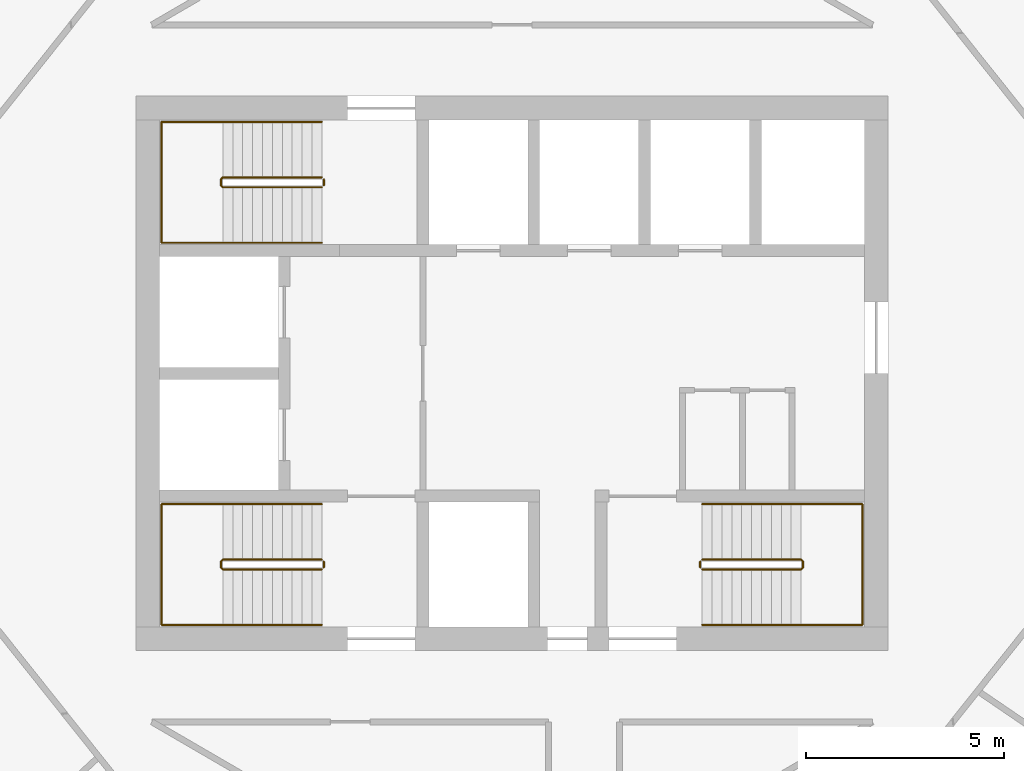
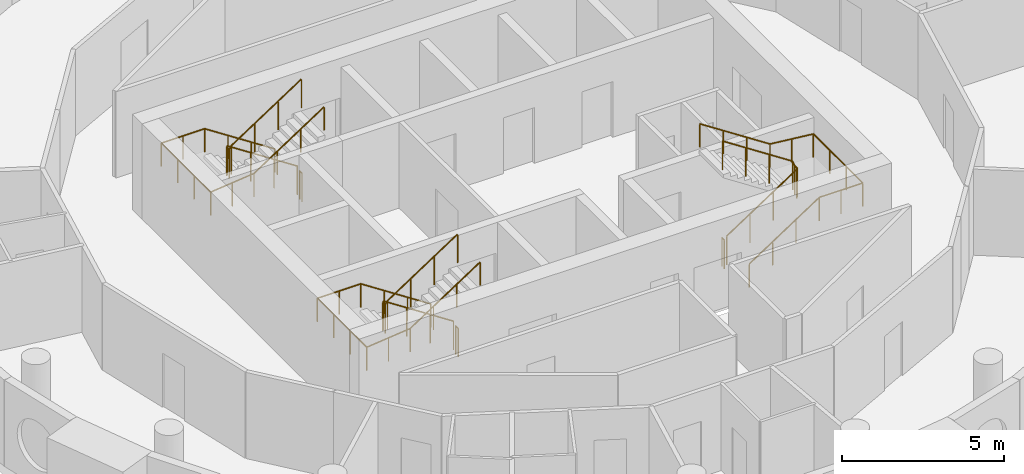
# One storey, part 13 of 13: 9 railings.
"""IFC4 building model written with IfcOpenShell, lengths in metres."""

from ifc_helpers import new_model, si_unit, direction, frame, origin, origin_2d, place, context, subcontext, project, spatial, circle, extrude, material, type_object, element, save


model = new_model("IFC4")

# Units and contexts
model_context = context("Model", 3, precision=1e-05, world=origin(), true_north=direction((0.0, 1.0)))
body_context = subcontext(model_context, "Body", "Model", "MODEL_VIEW")
ifc_project = project(units=[si_unit("LENGTHUNIT", "METRE"), si_unit("AREAUNIT", "SQUARE_METRE"), si_unit("VOLUMEUNIT", "CUBIC_METRE"), si_unit("PLANEANGLEUNIT", "RADIAN"), si_unit("MASSUNIT", "GRAM", prefix="KILO")], contexts=[model_context])

# Site, building, storey
site_placement = place(None, origin())
site = spatial("IfcSite", under=ifc_project, at=site_placement, CompositionType="ELEMENT")
building_placement = place(site_placement, origin())
building = spatial("IfcBuilding", under=site, at=building_placement, Name="Tracery Tower", CompositionType="ELEMENT")
storey_placement = place(building_placement, frame((0.0, 0.0, 294.60009765625)))
storey = spatial("IfcBuildingStorey", under=building, at=storey_placement, Name="L76", CompositionType="ELEMENT", Elevation=294.60009765625)

# Railings
ifc_material_1 = material(Name="Stainless steel and laminated glass", Category="steel")
railing_type_1 = type_object("IfcRailingType", Name="Stair guard 1100", PredefinedType="GUARDRAIL", material=ifc_material_1)
railing_1_placement = place(storey_placement, frame((-4.800048828125, -4.699951171875, 0.16357421875)))
element("IfcRailing", 1, at=railing_1_placement, inside=storey, type_object=railing_type_1, Name="L76 stair ST1 guard 1", PredefinedType="GUARDRAIL", context=body_context, shape_type="SweptSolid", body=[
    extrude(circle(Radius=0.02392578125, at=origin_2d()), frame((0.0, 0.0, 1.076171875), z_axis=(-0.836721939367, 0.0, 0.547627972425), x_axis=(0.0, -1.0, 0.0)), (0.0, 0.0, 1.0), 2.98779296875),
    extrude(circle(Radius=0.02392578125, at=origin_2d()), frame((-2.5, 0.0, 2.71240234375), z_axis=(-0.707106781187, -0.707106781187, 0.0), x_axis=(0.707106781187, -0.707106781187, 0.0)), (0.0, 0.0, 1.0), 0.07080078125),
    extrude(circle(Radius=0.02392578125, at=origin_2d()), frame((-2.550048828125, -0.050048828125, 2.71240234375), z_axis=(0.0, -1.0, 0.0), x_axis=(1.0, 0.0, 0.0)), (0.0, 0.0, 1.0), 0.14990234375),
    extrude(circle(Radius=0.02392578125, at=origin_2d()), frame((-2.550048828125, -0.199951171875, 2.71240234375), z_axis=(0.280456126637, -0.280456126637, 0.917980785237), x_axis=(0.707106781187, 0.707106781187, 0.0)), (0.0, 0.0, 1.0), 0.178466796875),
    extrude(circle(Radius=0.02392578125, at=origin_2d()), frame((-2.5, -0.25, 2.8759765625), z_axis=(0.836721939367, 0.0, 0.547627972425), x_axis=(0.0, 1.0, 0.0)), (0.0, 0.0, 1.0), 2.98779296875),
    extrude(circle(Radius=0.02099609375, at=origin_2d()), origin(), (0.0, 0.0, 1.0), 1.052001953125),
    extrude(circle(Radius=0.02099609375, at=origin_2d()), frame((-0.833251953125, 0.0, 0.54541015625)), (0.0, 0.0, 1.0), 1.052001953125),
    extrude(circle(Radius=0.02099609375, at=origin_2d()), frame((-1.666748046875, 0.0, 1.0908203125)), (0.0, 0.0, 1.0), 1.052001953125),
    extrude(circle(Radius=0.02099609375, at=origin_2d()), frame((-2.5, 0.0, 1.63623046875)), (0.0, 0.0, 1.0), 1.052001953125),
    extrude(circle(Radius=0.02099609375, at=origin_2d()), frame((-2.550048828125, -0.050048828125, 1.63623046875)), (0.0, 0.0, 1.0), 1.052001953125),
    extrude(circle(Radius=0.02099609375, at=origin_2d()), frame((-2.550048828125, -0.199951171875, 1.63623046875)), (0.0, 0.0, 1.0), 1.052001953125),
    extrude(circle(Radius=0.02099609375, at=origin_2d()), frame((-2.5, -0.25, 1.800048828125)), (0.0, 0.0, 1.0), 1.052001953125),
    extrude(circle(Radius=0.02099609375, at=origin_2d()), frame((-1.666748046875, -0.25, 2.345458984375)), (0.0, 0.0, 1.0), 1.052001953125),
    extrude(circle(Radius=0.02099609375, at=origin_2d()), frame((-0.833251953125, -0.25, 2.890869140625)), (0.0, 0.0, 1.0), 1.052001953125),
    extrude(circle(Radius=0.02099609375, at=origin_2d()), frame((0.0, -0.25, 3.436279296875)), (0.0, 0.0, 1.0), 1.052001953125),
])
railing_2_placement = place(storey_placement, frame((-4.75, -4.75, 0.0)))
element("IfcRailing", 2, at=railing_2_placement, inside=storey, type_object=railing_type_1, Name="L76 stair ST1 guard 2", PredefinedType="GUARDRAIL", context=body_context, shape_type="SweptSolid", body=[
    extrude(circle(Radius=0.02392578125, at=origin_2d()), frame((0.0, 0.0, 1.076171875), z_axis=(0.0, -1.0, 0.0), x_axis=(1.0, 0.0, 0.0)), (0.0, 0.0, 1.0), 0.14990234375),
    extrude(circle(Radius=0.02099609375, at=origin_2d()), origin(), (0.0, 0.0, 1.0), 1.052001953125),
    extrude(circle(Radius=0.02099609375, at=origin_2d()), frame((0.0, -0.14990234375, 0.0)), (0.0, 0.0, 1.0), 1.052001953125),
])
railing_3_placement = place(storey_placement, frame((-4.800048828125, 4.949951171875, 0.16357421875)))
element("IfcRailing", 3, at=railing_3_placement, inside=storey, type_object=railing_type_1, Name="L76 stair ST3 guard 1", PredefinedType="GUARDRAIL", context=body_context, shape_type="SweptSolid", body=[
    extrude(circle(Radius=0.02392578125, at=origin_2d()), frame((0.0, 0.0, 1.076171875), z_axis=(-0.836721939367, 0.0, 0.547627972425), x_axis=(0.0, -1.0, 0.0)), (0.0, 0.0, 1.0), 2.98779296875),
    extrude(circle(Radius=0.02392578125, at=origin_2d()), frame((-2.5, 0.0, 2.71240234375), z_axis=(-0.707106781187, -0.707106781187, 0.0), x_axis=(0.707106781187, -0.707106781187, 0.0)), (0.0, 0.0, 1.0), 0.07080078125),
    extrude(circle(Radius=0.02392578125, at=origin_2d()), frame((-2.550048828125, -0.050048828125, 2.71240234375), z_axis=(0.0, -1.0, 0.0), x_axis=(1.0, 0.0, 0.0)), (0.0, 0.0, 1.0), 0.14990234375),
    extrude(circle(Radius=0.02392578125, at=origin_2d()), frame((-2.550048828125, -0.199951171875, 2.71240234375), z_axis=(0.280456126637, -0.280456126637, 0.917980785237), x_axis=(0.707106781187, 0.707106781187, 0.0)), (0.0, 0.0, 1.0), 0.178466796875),
    extrude(circle(Radius=0.02392578125, at=origin_2d()), frame((-2.5, -0.25, 2.8759765625), z_axis=(0.836721939367, 0.0, 0.547627972425), x_axis=(0.0, 1.0, 0.0)), (0.0, 0.0, 1.0), 2.98779296875),
    extrude(circle(Radius=0.02099609375, at=origin_2d()), origin(), (0.0, 0.0, 1.0), 1.052001953125),
    extrude(circle(Radius=0.02099609375, at=origin_2d()), frame((-0.833251953125, 0.0, 0.54541015625)), (0.0, 0.0, 1.0), 1.052001953125),
    extrude(circle(Radius=0.02099609375, at=origin_2d()), frame((-1.666748046875, 0.0, 1.0908203125)), (0.0, 0.0, 1.0), 1.052001953125),
    extrude(circle(Radius=0.02099609375, at=origin_2d()), frame((-2.5, 0.0, 1.63623046875)), (0.0, 0.0, 1.0), 1.052001953125),
    extrude(circle(Radius=0.02099609375, at=origin_2d()), frame((-2.550048828125, -0.050048828125, 1.63623046875)), (0.0, 0.0, 1.0), 1.052001953125),
    extrude(circle(Radius=0.02099609375, at=origin_2d()), frame((-2.550048828125, -0.199951171875, 1.63623046875)), (0.0, 0.0, 1.0), 1.052001953125),
    extrude(circle(Radius=0.02099609375, at=origin_2d()), frame((-2.5, -0.25, 1.800048828125)), (0.0, 0.0, 1.0), 1.052001953125),
    extrude(circle(Radius=0.02099609375, at=origin_2d()), frame((-1.666748046875, -0.25, 2.345458984375)), (0.0, 0.0, 1.0), 1.052001953125),
    extrude(circle(Radius=0.02099609375, at=origin_2d()), frame((-0.833251953125, -0.25, 2.890869140625)), (0.0, 0.0, 1.0), 1.052001953125),
    extrude(circle(Radius=0.02099609375, at=origin_2d()), frame((0.0, -0.25, 3.436279296875)), (0.0, 0.0, 1.0), 1.052001953125),
])
railing_4_placement = place(storey_placement, frame((-4.75, 4.89990234375, 0.0)))
element("IfcRailing", 4, at=railing_4_placement, inside=storey, type_object=railing_type_1, Name="L76 stair ST3 guard 2", PredefinedType="GUARDRAIL", context=body_context, shape_type="SweptSolid", body=[
    extrude(circle(Radius=0.02392578125, at=origin_2d()), frame((0.0, 0.0, 1.076171875), z_axis=(0.0, -1.0, 0.0), x_axis=(1.0, 0.0, 0.0)), (0.0, 0.0, 1.0), 0.14990234375),
    extrude(circle(Radius=0.02099609375, at=origin_2d()), origin(), (0.0, 0.0, 1.0), 1.052001953125),
    extrude(circle(Radius=0.02099609375, at=origin_2d()), frame((0.0, -0.14990234375, 0.0)), (0.0, 0.0, 1.0), 1.052001953125),
])
railing_5_placement = place(storey_placement, frame((4.800048828125, -4.949951171875, 0.16357421875)))
element("IfcRailing", 5, at=railing_5_placement, inside=storey, type_object=railing_type_1, Name="L76 stair ST2 guard 1", PredefinedType="GUARDRAIL", context=body_context, shape_type="SweptSolid", body=[
    extrude(circle(Radius=0.02392578125, at=origin_2d()), frame((0.0, 0.0, 1.076171875), z_axis=(0.836721939367, 0.0, 0.547627972425), x_axis=(0.0, 1.0, 0.0)), (0.0, 0.0, 1.0), 2.98779296875),
    extrude(circle(Radius=0.02392578125, at=origin_2d()), frame((2.5, 0.0, 2.71240234375), z_axis=(0.707106781187, 0.707106781187, 0.0), x_axis=(-0.707106781187, 0.707106781187, 0.0)), (0.0, 0.0, 1.0), 0.07080078125),
    extrude(circle(Radius=0.02392578125, at=origin_2d()), frame((2.550048828125, 0.050048828125, 2.71240234375), z_axis=(0.0, 1.0, 0.0), x_axis=(-1.0, 0.0, 0.0)), (0.0, 0.0, 1.0), 0.14990234375),
    extrude(circle(Radius=0.02392578125, at=origin_2d()), frame((2.550048828125, 0.199951171875, 2.71240234375), z_axis=(-0.280456126637, 0.280456126637, 0.917980785237), x_axis=(-0.707106781187, -0.707106781187, 0.0)), (0.0, 0.0, 1.0), 0.178466796875),
    extrude(circle(Radius=0.02392578125, at=origin_2d()), frame((2.5, 0.25, 2.8759765625), z_axis=(-0.836721939367, 0.0, 0.547627972425), x_axis=(0.0, -1.0, 0.0)), (0.0, 0.0, 1.0), 2.98779296875),
    extrude(circle(Radius=0.02099609375, at=origin_2d()), origin(), (0.0, 0.0, 1.0), 1.052001953125),
    extrude(circle(Radius=0.02099609375, at=origin_2d()), frame((0.833251953125, 0.0, 0.54541015625)), (0.0, 0.0, 1.0), 1.052001953125),
    extrude(circle(Radius=0.02099609375, at=origin_2d()), frame((1.666748046875, 0.0, 1.0908203125)), (0.0, 0.0, 1.0), 1.052001953125),
    extrude(circle(Radius=0.02099609375, at=origin_2d()), frame((2.5, 0.0, 1.63623046875)), (0.0, 0.0, 1.0), 1.052001953125),
    extrude(circle(Radius=0.02099609375, at=origin_2d()), frame((2.550048828125, 0.050048828125, 1.63623046875)), (0.0, 0.0, 1.0), 1.052001953125),
    extrude(circle(Radius=0.02099609375, at=origin_2d()), frame((2.550048828125, 0.199951171875, 1.63623046875)), (0.0, 0.0, 1.0), 1.052001953125),
    extrude(circle(Radius=0.02099609375, at=origin_2d()), frame((2.5, 0.25, 1.800048828125)), (0.0, 0.0, 1.0), 1.052001953125),
    extrude(circle(Radius=0.02099609375, at=origin_2d()), frame((1.666748046875, 0.25, 2.345458984375)), (0.0, 0.0, 1.0), 1.052001953125),
    extrude(circle(Radius=0.02099609375, at=origin_2d()), frame((0.833251953125, 0.25, 2.890869140625)), (0.0, 0.0, 1.0), 1.052001953125),
    extrude(circle(Radius=0.02099609375, at=origin_2d()), frame((0.0, 0.25, 3.436279296875)), (0.0, 0.0, 1.0), 1.052001953125),
])
railing_6_placement = place(storey_placement, frame((4.75, -4.89990234375, 0.0)))
element("IfcRailing", 6, at=railing_6_placement, inside=storey, type_object=railing_type_1, Name="L76 stair ST2 guard 2", PredefinedType="GUARDRAIL", context=body_context, shape_type="SweptSolid", body=[
    extrude(circle(Radius=0.02392578125, at=origin_2d()), frame((0.0, 0.0, 1.076171875), z_axis=(0.0, 1.0, 0.0), x_axis=(-1.0, 0.0, 0.0)), (0.0, 0.0, 1.0), 0.14990234375),
    extrude(circle(Radius=0.02099609375, at=origin_2d()), origin(), (0.0, 0.0, 1.0), 1.052001953125),
    extrude(circle(Radius=0.02099609375, at=origin_2d()), frame((0.0, 0.14990234375, 0.0)), (0.0, 0.0, 1.0), 1.052001953125),
])
ifc_material_2 = material(Name="Stainless steel and laminated glass", Category="steel")
railing_type_2 = type_object("IfcRailingType", Name="Stair handrail 900", PredefinedType="HANDRAIL", material=ifc_material_2)
railing_7_placement = place(storey_placement, frame((-4.800048828125, -3.300048828125, 0.16357421875)))
element("IfcRailing", 7, at=railing_7_placement, inside=storey, type_object=railing_type_2, Name="L76 stair ST1 handrail 1", PredefinedType="HANDRAIL", context=body_context, shape_type="SweptSolid", body=[
    extrude(circle(Radius=0.02392578125, at=origin_2d()), frame((0.0, 0.0, 0.8759765625), z_axis=(-0.836721939367, 0.0, 0.547627972425), x_axis=(0.0, -1.0, 0.0)), (0.0, 0.0, 1.0), 2.98779296875),
    extrude(circle(Radius=0.02392578125, at=origin_2d()), frame((-2.5, 0.0, 2.51220703125), z_axis=(-1.0, 0.0, 0.0), x_axis=(0.0, -1.0, 0.0)), (0.0, 0.0, 1.0), 1.550048828125),
    extrude(circle(Radius=0.02392578125, at=origin_2d()), frame((-4.050048828125, 0.0, 2.51220703125), z_axis=(0.0, -1.0, 0.0), x_axis=(1.0, 0.0, 0.0)), (0.0, 0.0, 1.0), 3.050048828125),
    extrude(circle(Radius=0.02392578125, at=origin_2d()), frame((-4.050048828125, -3.050048828125, 2.51220703125), z_axis=(0.994461594632, 0.0, 0.105100603244), x_axis=(0.0, 1.0, 0.0)), (0.0, 0.0, 1.0), 1.55859375),
    extrude(circle(Radius=0.02392578125, at=origin_2d()), frame((-2.5, -3.050048828125, 2.67578125), z_axis=(0.836721939367, 0.0, 0.547627972425), x_axis=(0.0, 1.0, 0.0)), (0.0, 0.0, 1.0), 2.98779296875),
    extrude(circle(Radius=0.02099609375, at=origin_2d()), origin(), (0.0, 0.0, 1.0), 0.851806640625),
    extrude(circle(Radius=0.02099609375, at=origin_2d()), frame((-0.833251953125, 0.0, 0.54541015625)), (0.0, 0.0, 1.0), 0.851806640625),
    extrude(circle(Radius=0.02099609375, at=origin_2d()), frame((-1.666748046875, 0.0, 1.0908203125)), (0.0, 0.0, 1.0), 0.851806640625),
    extrude(circle(Radius=0.02099609375, at=origin_2d()), frame((-2.5, 0.0, 1.63623046875)), (0.0, 0.0, 1.0), 0.851806640625),
    extrude(circle(Radius=0.02099609375, at=origin_2d()), frame((-3.27490234375, 0.0, 1.63623046875)), (0.0, 0.0, 1.0), 0.851806640625),
    extrude(circle(Radius=0.02099609375, at=origin_2d()), frame((-4.050048828125, 0.0, 1.63623046875)), (0.0, 0.0, 1.0), 0.851806640625),
    extrude(circle(Radius=0.02099609375, at=origin_2d()), frame((-4.050048828125, -1.0166015625, 1.63623046875)), (0.0, 0.0, 1.0), 0.851806640625),
    extrude(circle(Radius=0.02099609375, at=origin_2d()), frame((-4.050048828125, -2.033447265625, 1.63623046875)), (0.0, 0.0, 1.0), 0.851806640625),
    extrude(circle(Radius=0.02099609375, at=origin_2d()), frame((-4.050048828125, -3.050048828125, 1.63623046875)), (0.0, 0.0, 1.0), 0.851806640625),
    extrude(circle(Radius=0.02099609375, at=origin_2d()), frame((-3.27490234375, -3.050048828125, 1.71826171875)), (0.0, 0.0, 1.0), 0.851806640625),
    extrude(circle(Radius=0.02099609375, at=origin_2d()), frame((-2.5, -3.050048828125, 1.800048828125)), (0.0, 0.0, 1.0), 0.851806640625),
    extrude(circle(Radius=0.02099609375, at=origin_2d()), frame((-1.666748046875, -3.050048828125, 2.345458984375)), (0.0, 0.0, 1.0), 0.851806640625),
    extrude(circle(Radius=0.02099609375, at=origin_2d()), frame((-0.833251953125, -3.050048828125, 2.890869140625)), (0.0, 0.0, 1.0), 0.851806640625),
    extrude(circle(Radius=0.02099609375, at=origin_2d()), frame((0.0, -3.050048828125, 3.436279296875)), (0.0, 0.0, 1.0), 0.851806640625),
])
railing_8_placement = place(storey_placement, frame((-4.800048828125, 6.35009765625, 0.16357421875)))
element("IfcRailing", 8, at=railing_8_placement, inside=storey, type_object=railing_type_2, Name="L76 stair ST3 handrail 1", PredefinedType="HANDRAIL", context=body_context, shape_type="SweptSolid", body=[
    extrude(circle(Radius=0.02392578125, at=origin_2d()), frame((0.0, 0.0, 0.8759765625), z_axis=(-0.836721939367, 0.0, 0.547627972425), x_axis=(0.0, -1.0, 0.0)), (0.0, 0.0, 1.0), 2.98779296875),
    extrude(circle(Radius=0.02392578125, at=origin_2d()), frame((-2.5, 0.0, 2.51220703125), z_axis=(-1.0, 0.0, 0.0), x_axis=(0.0, -1.0, 0.0)), (0.0, 0.0, 1.0), 1.550048828125),
    extrude(circle(Radius=0.02392578125, at=origin_2d()), frame((-4.050048828125, 0.0, 2.51220703125), z_axis=(0.0, -1.0, 0.0), x_axis=(1.0, 0.0, 0.0)), (0.0, 0.0, 1.0), 3.050048828125),
    extrude(circle(Radius=0.02392578125, at=origin_2d()), frame((-4.050048828125, -3.050048828125, 2.51220703125), z_axis=(0.994461594632, 0.0, 0.105100603244), x_axis=(0.0, 1.0, 0.0)), (0.0, 0.0, 1.0), 1.55859375),
    extrude(circle(Radius=0.02392578125, at=origin_2d()), frame((-2.5, -3.050048828125, 2.67578125), z_axis=(0.836721939367, 0.0, 0.547627972425), x_axis=(0.0, 1.0, 0.0)), (0.0, 0.0, 1.0), 2.98779296875),
    extrude(circle(Radius=0.02099609375, at=origin_2d()), origin(), (0.0, 0.0, 1.0), 0.851806640625),
    extrude(circle(Radius=0.02099609375, at=origin_2d()), frame((-0.833251953125, 0.0, 0.54541015625)), (0.0, 0.0, 1.0), 0.851806640625),
    extrude(circle(Radius=0.02099609375, at=origin_2d()), frame((-1.666748046875, 0.0, 1.0908203125)), (0.0, 0.0, 1.0), 0.851806640625),
    extrude(circle(Radius=0.02099609375, at=origin_2d()), frame((-2.5, 0.0, 1.63623046875)), (0.0, 0.0, 1.0), 0.851806640625),
    extrude(circle(Radius=0.02099609375, at=origin_2d()), frame((-3.27490234375, 0.0, 1.63623046875)), (0.0, 0.0, 1.0), 0.851806640625),
    extrude(circle(Radius=0.02099609375, at=origin_2d()), frame((-4.050048828125, 0.0, 1.63623046875)), (0.0, 0.0, 1.0), 0.851806640625),
    extrude(circle(Radius=0.02099609375, at=origin_2d()), frame((-4.050048828125, -1.0166015625, 1.63623046875)), (0.0, 0.0, 1.0), 0.851806640625),
    extrude(circle(Radius=0.02099609375, at=origin_2d()), frame((-4.050048828125, -2.033447265625, 1.63623046875)), (0.0, 0.0, 1.0), 0.851806640625),
    extrude(circle(Radius=0.02099609375, at=origin_2d()), frame((-4.050048828125, -3.050048828125, 1.63623046875)), (0.0, 0.0, 1.0), 0.851806640625),
    extrude(circle(Radius=0.02099609375, at=origin_2d()), frame((-3.27490234375, -3.050048828125, 1.71826171875)), (0.0, 0.0, 1.0), 0.851806640625),
    extrude(circle(Radius=0.02099609375, at=origin_2d()), frame((-2.5, -3.050048828125, 1.800048828125)), (0.0, 0.0, 1.0), 0.851806640625),
    extrude(circle(Radius=0.02099609375, at=origin_2d()), frame((-1.666748046875, -3.050048828125, 2.345458984375)), (0.0, 0.0, 1.0), 0.851806640625),
    extrude(circle(Radius=0.02099609375, at=origin_2d()), frame((-0.833251953125, -3.050048828125, 2.890869140625)), (0.0, 0.0, 1.0), 0.851806640625),
    extrude(circle(Radius=0.02099609375, at=origin_2d()), frame((0.0, -3.050048828125, 3.436279296875)), (0.0, 0.0, 1.0), 0.851806640625),
])
railing_9_placement = place(storey_placement, frame((4.800048828125, -6.35009765625, 0.16357421875)))
element("IfcRailing", 9, at=railing_9_placement, inside=storey, type_object=railing_type_2, Name="L76 stair ST2 handrail 1", PredefinedType="HANDRAIL", context=body_context, shape_type="SweptSolid", body=[
    extrude(circle(Radius=0.02392578125, at=origin_2d()), frame((0.0, 0.0, 0.8759765625), z_axis=(0.836721939367, 0.0, 0.547627972425), x_axis=(0.0, 1.0, 0.0)), (0.0, 0.0, 1.0), 2.98779296875),
    extrude(circle(Radius=0.02392578125, at=origin_2d()), frame((2.5, 0.0, 2.51220703125), z_axis=(1.0, 0.0, 0.0), x_axis=(0.0, 1.0, 0.0)), (0.0, 0.0, 1.0), 1.550048828125),
    extrude(circle(Radius=0.02392578125, at=origin_2d()), frame((4.050048828125, 0.0, 2.51220703125), z_axis=(0.0, 1.0, 0.0), x_axis=(-1.0, 0.0, 0.0)), (0.0, 0.0, 1.0), 3.050048828125),
    extrude(circle(Radius=0.02392578125, at=origin_2d()), frame((4.050048828125, 3.050048828125, 2.51220703125), z_axis=(-0.994461594632, 0.0, 0.105100603244), x_axis=(0.0, -1.0, 0.0)), (0.0, 0.0, 1.0), 1.55859375),
    extrude(circle(Radius=0.02392578125, at=origin_2d()), frame((2.5, 3.050048828125, 2.67578125), z_axis=(-0.836721939367, 0.0, 0.547627972425), x_axis=(0.0, -1.0, 0.0)), (0.0, 0.0, 1.0), 2.98779296875),
    extrude(circle(Radius=0.02099609375, at=origin_2d()), origin(), (0.0, 0.0, 1.0), 0.851806640625),
    extrude(circle(Radius=0.02099609375, at=origin_2d()), frame((0.833251953125, 0.0, 0.54541015625)), (0.0, 0.0, 1.0), 0.851806640625),
    extrude(circle(Radius=0.02099609375, at=origin_2d()), frame((1.666748046875, 0.0, 1.0908203125)), (0.0, 0.0, 1.0), 0.851806640625),
    extrude(circle(Radius=0.02099609375, at=origin_2d()), frame((2.5, 0.0, 1.63623046875)), (0.0, 0.0, 1.0), 0.851806640625),
    extrude(circle(Radius=0.02099609375, at=origin_2d()), frame((3.27490234375, 0.0, 1.63623046875)), (0.0, 0.0, 1.0), 0.851806640625),
    extrude(circle(Radius=0.02099609375, at=origin_2d()), frame((4.050048828125, 0.0, 1.63623046875)), (0.0, 0.0, 1.0), 0.851806640625),
    extrude(circle(Radius=0.02099609375, at=origin_2d()), frame((4.050048828125, 1.0166015625, 1.63623046875)), (0.0, 0.0, 1.0), 0.851806640625),
    extrude(circle(Radius=0.02099609375, at=origin_2d()), frame((4.050048828125, 2.033447265625, 1.63623046875)), (0.0, 0.0, 1.0), 0.851806640625),
    extrude(circle(Radius=0.02099609375, at=origin_2d()), frame((4.050048828125, 3.050048828125, 1.63623046875)), (0.0, 0.0, 1.0), 0.851806640625),
    extrude(circle(Radius=0.02099609375, at=origin_2d()), frame((3.27490234375, 3.050048828125, 1.71826171875)), (0.0, 0.0, 1.0), 0.851806640625),
    extrude(circle(Radius=0.02099609375, at=origin_2d()), frame((2.5, 3.050048828125, 1.800048828125)), (0.0, 0.0, 1.0), 0.851806640625),
    extrude(circle(Radius=0.02099609375, at=origin_2d()), frame((1.666748046875, 3.050048828125, 2.345458984375)), (0.0, 0.0, 1.0), 0.851806640625),
    extrude(circle(Radius=0.02099609375, at=origin_2d()), frame((0.833251953125, 3.050048828125, 2.890869140625)), (0.0, 0.0, 1.0), 0.851806640625),
    extrude(circle(Radius=0.02099609375, at=origin_2d()), frame((0.0, 3.050048828125, 3.436279296875)), (0.0, 0.0, 1.0), 0.851806640625),
])

save(model, "model.ifc")
